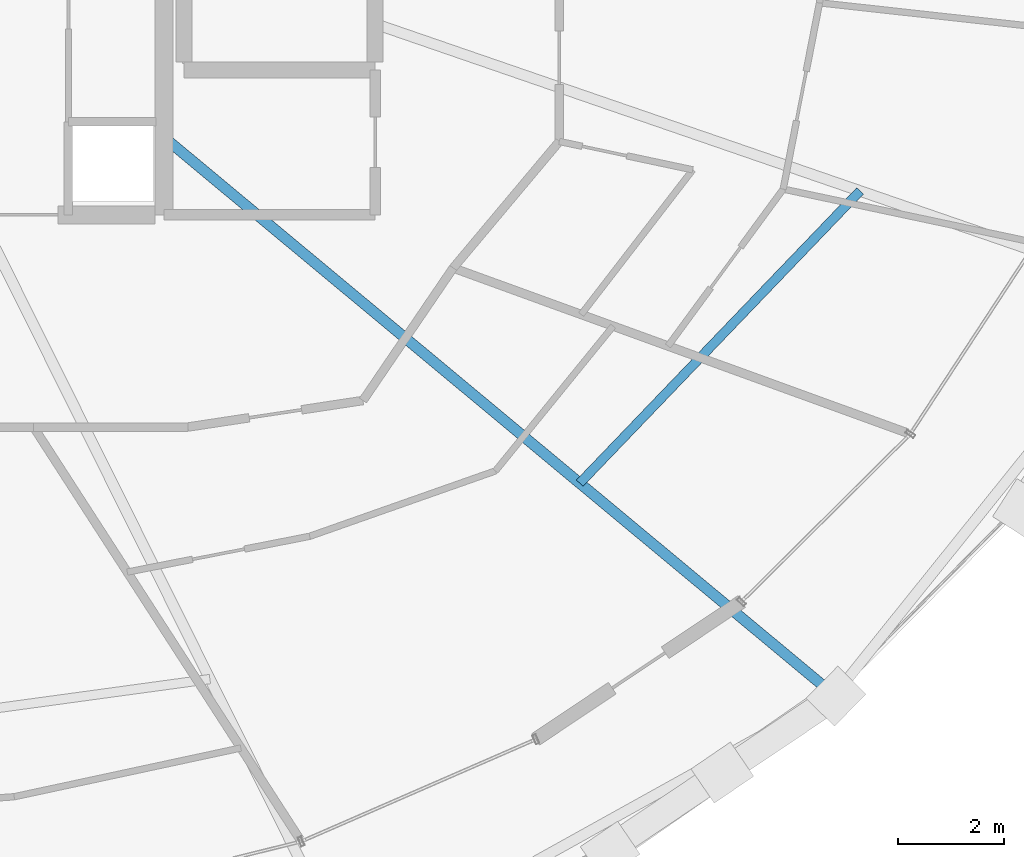
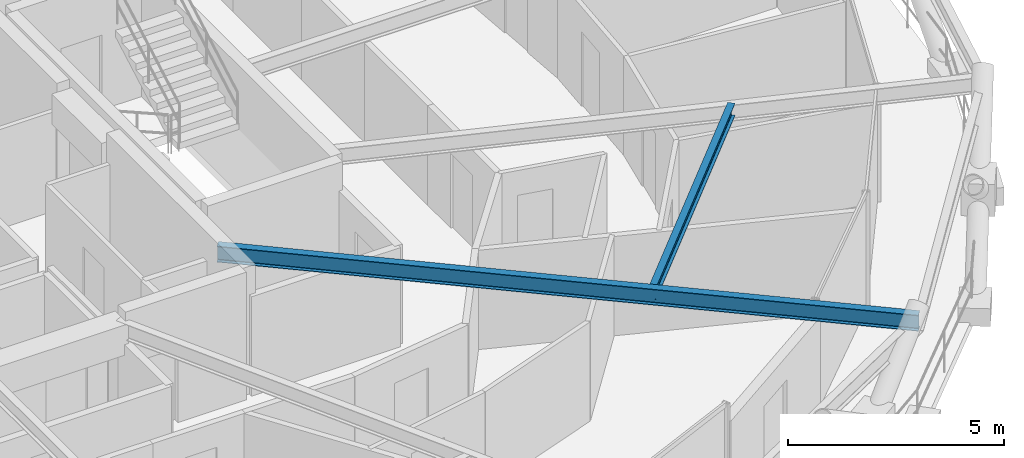
# One storey, part 8 of 19: 2 beams.
"""IFC4 building model written with IfcOpenShell, lengths in metres."""

from ifc_helpers import new_model, si_unit, direction, frame, origin, origin_2d, place, context, subcontext, project, spatial, i_section, extrude, material, material_profile, profile_set, type_object, element, save


model = new_model("IFC4")

# Units and contexts
model_context = context("Model", 3, precision=1e-05, world=origin(), true_north=direction((0.0, 1.0)))
body_context = subcontext(model_context, "Body", "Model", "MODEL_VIEW")
ifc_project = project(units=[si_unit("LENGTHUNIT", "METRE"), si_unit("AREAUNIT", "SQUARE_METRE"), si_unit("VOLUMEUNIT", "CUBIC_METRE"), si_unit("PLANEANGLEUNIT", "RADIAN"), si_unit("MASSUNIT", "GRAM", prefix="KILO")], contexts=[model_context])

# Site, building, storey
site_placement = place(None, origin())
site = spatial("IfcSite", under=ifc_project, at=site_placement, CompositionType="ELEMENT")
building_placement = place(site_placement, origin())
building = spatial("IfcBuilding", under=site, at=building_placement, Name="Veldorina Hangang Commons", CompositionType="ELEMENT")
storey_placement = place(building_placement, frame((0.0, 0.0, 167.60009765625)))
storey = spatial("IfcBuildingStorey", under=building, at=storey_placement, Name="L43", CompositionType="ELEMENT", Elevation=167.60009765625)

# Beams
ifc_material = material(Name="Steel SM355-TMC", Category="steel")
ifc_material_profile_1 = material_profile(ifc_material, i_section(OverallWidth=0.199951171875, OverallDepth=0.449951171875, WebThickness=0.009033203125, FlangeThickness=0.013916015625, FilletRadius=0.01611328125, at=origin_2d()), Name="H-450x200x9x14")
ifc_profile_set_1 = profile_set([ifc_material_profile_1], Name="Steel SM355-TMC")
beam_type_1 = type_object("IfcBeamType", Name="BM-FG450", PredefinedType="BEAM", material=ifc_profile_set_1)
beam_1_placement = place(storey_placement, frame((39.199951171875, 18.010498046875, 3.125), z_axis=(0.768760288374, -0.639537034908, 0.0), x_axis=(0.639537034908, 0.768760288374, 0.0)))
element("IfcBeam", 1, at=beam_1_placement, inside=storey, type_object=beam_type_1, Name="L43 radial floor girder 15", PredefinedType="BEAM", context=body_context, shape_type="SweptSolid", body=[
    extrude(i_section(OverallWidth=0.199951171875, OverallDepth=0.449951171875, WebThickness=0.009033203125, FlangeThickness=0.013916015625, FilletRadius=0.01611328125, at=origin_2d()), origin(), (0.0, 0.0, 1.0), 16.438720703125),
])
ifc_material_profile_2 = material_profile(ifc_material, i_section(OverallWidth=0.175048828125, OverallDepth=0.35009765625, WebThickness=0.007080078125, FlangeThickness=0.010986328125, FilletRadius=0.012939453125, at=origin_2d()), Name="H-350x175x7x11")
ifc_profile_set_2 = profile_set([ifc_material_profile_2], Name="Steel SM355-TMC")
beam_type_2 = type_object("IfcBeamType", Name="BM-JST350", PredefinedType="JOIST", material=ifc_profile_set_2)
beam_2_placement = place(storey_placement, frame((47.03515625, 11.4921875, 3.1748046875), z_axis=(0.692302033015, 0.72160785409, 0.0), x_axis=(-0.72160785409, 0.692302033015, 0.0)))
element("IfcBeam", 2, at=beam_2_placement, inside=storey, type_object=beam_type_2, Name="L43 secondary floor joist 15", PredefinedType="JOIST", context=body_context, shape_type="SweptSolid", body=[
    extrude(i_section(OverallWidth=0.175048828125, OverallDepth=0.35009765625, WebThickness=0.007080078125, FlangeThickness=0.010986328125, FilletRadius=0.012939453125, at=origin_2d()), origin(), (0.0, 0.0, 1.0), 7.631103515625),
])

save(model, "model.ifc")
